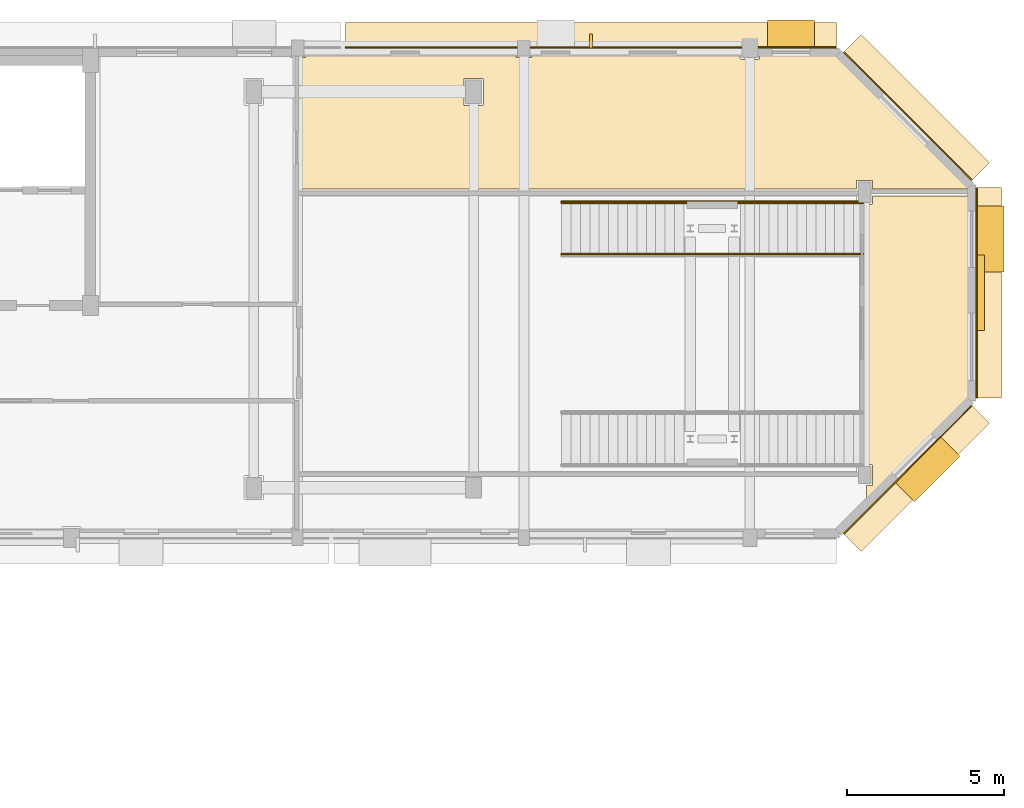
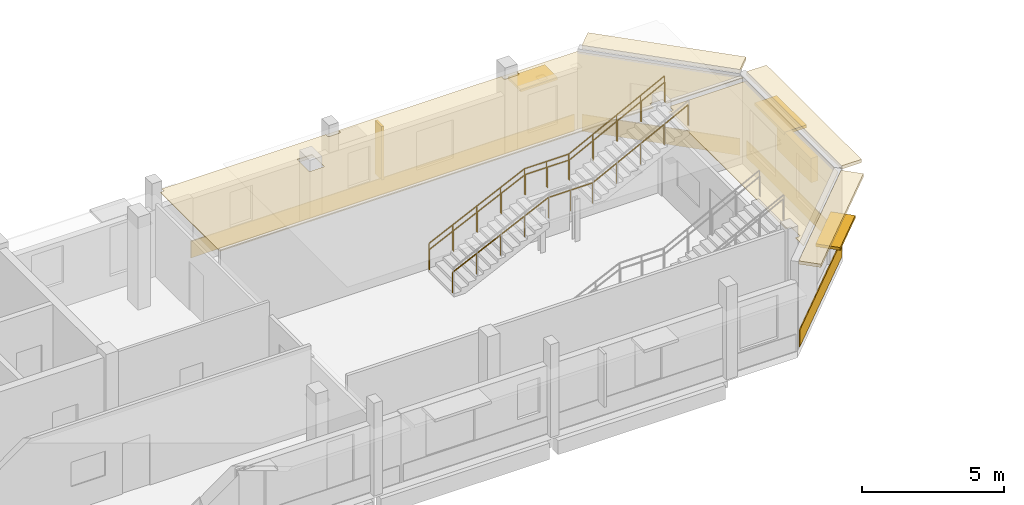
# One storey, part 92 of 92: 10 coverings, 5 shading devices, 3 railings.
"""IFC4 building model written with IfcOpenShell, lengths in metres."""

from ifc_helpers import new_model, si_unit, direction, frame, origin, origin_2d, place, context, subcontext, project, spatial, polyline, rectangle, circle, outline, extrude, material, layer, layer_set, type_object, element, save


model = new_model("IFC4")

# Units and contexts
model_context = context("Model", 3, precision=1e-05, world=origin(), true_north=direction((0.0, 1.0)))
body_context = subcontext(model_context, "Body", "Model", "MODEL_VIEW")
ifc_project = project(units=[si_unit("LENGTHUNIT", "METRE"), si_unit("AREAUNIT", "SQUARE_METRE"), si_unit("VOLUMEUNIT", "CUBIC_METRE"), si_unit("PLANEANGLEUNIT", "RADIAN"), si_unit("MASSUNIT", "GRAM", prefix="KILO")], contexts=[model_context])

# Site, building, storey
site_placement = place(None, origin())
site = spatial("IfcSite", under=ifc_project, at=site_placement, CompositionType="ELEMENT")
building_placement = place(site_placement, origin())
building = spatial("IfcBuilding", under=site, at=building_placement, Name="Kelanivale Promenade Academy", CompositionType="ELEMENT")
storey_placement = place(building_placement, frame((0.0, 0.0, 8.199951171875)))
storey = spatial("IfcBuildingStorey", under=building, at=storey_placement, Name="L02", CompositionType="ELEMENT", Elevation=8.199951171875)

# Coverings
ifc_material_1 = material(Name="Warm ivory Art Deco stucco frieze band 40 mm", Category="masonry")
ifc_layer_1 = layer(ifc_material_1, 0.0400390625)
ifc_layer_set_1 = layer_set([ifc_layer_1], Name="Warm ivory Art Deco stucco frieze band 40 mm")
covering_type_1 = type_object("IfcCoveringType", Name="COV-CLD2 Warm ivory Art Deco stucco frieze ba", PredefinedType="CLADDING", material=ifc_layer_set_1)
covering_1_placement = place(storey_placement, frame((156.89892578125, 98.301025390625, 3.6201171875), z_axis=(0.0, 0.0, 1.0), x_axis=(0.707106781187, 0.707106781187, 0.0)))
element("IfcCovering", 1, at=covering_1_placement, inside=storey, type_object=covering_type_1, Name="Art Deco projecting 820 mm streamline sunshade eyebrow ledge", PredefinedType="CLADDING", context=body_context, shape_type="SweptSolid", body=[
    extrude(rectangle(XDim=5.77490234375, YDim=0.820068359375, at=origin_2d()), origin(), (0.0, 0.0, 1.0), 0.139892578125),
])
covering_2_placement = place(storey_placement, frame((156.626953125, 98.572998046875, 0.06005859375), z_axis=(0.0, 0.0, 1.0), x_axis=(0.707106781187, 0.707106781187, 0.0)))
element("IfcCovering", 2, at=covering_2_placement, inside=storey, type_object=covering_type_1, Name="Art Deco ivory stucco sill frieze band", PredefinedType="CLADDING", context=body_context, shape_type="SweptSolid", body=[
    extrude(rectangle(XDim=5.77490234375, YDim=0.0400390625, at=origin_2d()), origin(), (0.0, 0.0, 1.0), 0.719970703125),
])
covering_3_placement = place(storey_placement, frame((159.199951171875, 104.199951171875, 3.6201171875), z_axis=(0.0, 0.0, 1.0), x_axis=(0.0, 1.0, 0.0)))
element("IfcCovering", 3, at=covering_3_placement, inside=storey, type_object=covering_type_1, Name="Art Deco projecting 820 mm streamline sunshade eyebrow ledge", PredefinedType="CLADDING", context=body_context, shape_type="SweptSolid", body=[
    extrude(rectangle(XDim=6.701904296875, YDim=0.820068359375, at=origin_2d()), origin(), (0.0, 0.0, 1.0), 0.139892578125),
])
covering_4_placement = place(storey_placement, frame((158.81494140625, 104.199951171875, 0.06005859375), z_axis=(0.0, 0.0, 1.0), x_axis=(0.0, 1.0, 0.0)))
element("IfcCovering", 4, at=covering_4_placement, inside=storey, type_object=covering_type_1, Name="Art Deco ivory stucco sill frieze band", PredefinedType="CLADDING", context=body_context, shape_type="SweptSolid", body=[
    extrude(rectangle(XDim=6.701904296875, YDim=0.0400390625, at=origin_2d()), origin(), (0.0, 0.0, 1.0), 0.719970703125),
])
covering_5_placement = place(storey_placement, frame((156.89892578125, 110.09912109375, 3.6201171875), z_axis=(0.0, 0.0, 1.0), x_axis=(-0.707106781187, 0.707106781187, 0.0)))
element("IfcCovering", 5, at=covering_5_placement, inside=storey, type_object=covering_type_1, Name="Art Deco projecting 820 mm streamline sunshade eyebrow ledge", PredefinedType="CLADDING", context=body_context, shape_type="SweptSolid", body=[
    extrude(rectangle(XDim=5.77490234375, YDim=0.820068359375, at=origin_2d()), origin(), (0.0, 0.0, 1.0), 0.139892578125),
])
covering_6_placement = place(storey_placement, frame((156.626953125, 109.826904296875, 0.06005859375), z_axis=(0.0, 0.0, 1.0), x_axis=(-0.707106781187, 0.707106781187, 0.0)))
element("IfcCovering", 6, at=covering_6_placement, inside=storey, type_object=covering_type_1, Name="Art Deco ivory stucco sill frieze band", PredefinedType="CLADDING", context=body_context, shape_type="SweptSolid", body=[
    extrude(rectangle(XDim=5.77490234375, YDim=0.0400390625, at=origin_2d()), origin(), (0.0, 0.0, 1.0), 0.719970703125),
])
covering_7_placement = place(storey_placement, frame((146.535888671875, 112.39990234375, 2.6552734375), z_axis=(0.0, 0.0, 1.0), x_axis=(-1.0, 0.0, 0.0)))
element("IfcCovering", 7, at=covering_7_placement, inside=storey, type_object=covering_type_1, Name="Art Deco projecting 820 mm streamline sunshade eyebrow ledge", PredefinedType="CLADDING", context=body_context, shape_type="SweptSolid", body=[
    extrude(rectangle(XDim=15.6298828125, YDim=0.820068359375, at=origin_2d()), origin(), (0.0, 0.0, 1.0), 0.139892578125),
])
covering_8_placement = place(storey_placement, frame((146.535888671875, 112.014892578125, 0.06005859375), z_axis=(0.0, 0.0, 1.0), x_axis=(-1.0, 0.0, 0.0)))
element("IfcCovering", 8, at=covering_8_placement, inside=storey, type_object=covering_type_1, Name="Art Deco ivory stucco sill frieze band", PredefinedType="CLADDING", context=body_context, shape_type="SweptSolid", body=[
    extrude(rectangle(XDim=15.6298828125, YDim=0.0400390625, at=origin_2d()), origin(), (0.0, 0.0, 1.0), 0.719970703125),
])
ifc_material_2 = material(Name="Acoustic mineral-fibre ceiling tile 25 mm", Category="gypsum")
ifc_layer_2 = layer(ifc_material_2, 0.02490234375)
ifc_layer_set_2 = layer_set([ifc_layer_2], Name="Acoustic mineral-fibre ceiling tile 25 mm")
covering_type_2 = type_object("IfcCoveringType", Name="COV-CLG1 Acoustic mineral-fibre ceiling tile ", PredefinedType="CEILING", material=ifc_layer_set_2)
covering_9_placement = place(storey_placement, frame((0.0, 0.0, 3.550048828125)))
element("IfcCovering", 9, at=covering_9_placement, inside=storey, type_object=covering_type_2, Name="Library North Study Alcove acoustic suspended ceiling", PredefinedType="CEILING", context=body_context, shape_type="SweptSolid", body=[
    extrude(outline(polyline([(158.64990234375, 107.510009765625), (158.64990234375, 107.571044921875), (154.37109375, 111.85009765625), (151.909912109375, 111.85009765625), (151.909912109375, 111.679931640625), (151.909912109375, 111.676025390625), (151.908935546875, 111.672119140625), (151.907958984375, 111.66796875), (151.906982421875, 111.6650390625), (151.905029296875, 111.660888671875), (151.903076171875, 111.657958984375), (151.90087890625, 111.655029296875), (151.89794921875, 111.652099609375), (151.89501953125, 111.64892578125), (151.89208984375, 111.64697265625), (151.888916015625, 111.64501953125), (151.885009765625, 111.64306640625), (151.882080078125, 111.64208984375), (151.8779296875, 111.64111328125), (151.8740234375, 111.639892578125), (151.8701171875, 111.639892578125), (151.330078125, 111.639892578125), (151.325927734375, 111.639892578125), (151.322021484375, 111.64111328125), (151.318115234375, 111.64208984375), (151.31494140625, 111.64306640625), (151.31103515625, 111.64501953125), (151.30810546875, 111.64697265625), (151.304931640625, 111.64892578125), (151.302001953125, 111.652099609375), (151.299072265625, 111.655029296875), (151.297119140625, 111.657958984375), (151.294921875, 111.660888671875), (151.29296875, 111.6650390625), (151.2919921875, 111.66796875), (151.291015625, 111.672119140625), (151.2900390625, 111.676025390625), (151.2900390625, 111.679931640625), (151.2900390625, 111.85009765625), (144.659912109375, 111.85009765625), (144.659912109375, 111.72998046875), (144.659912109375, 111.72607421875), (144.658935546875, 111.721923828125), (144.657958984375, 111.718017578125), (144.656982421875, 111.715087890625), (144.655029296875, 111.7109375), (144.653076171875, 111.7080078125), (144.65087890625, 111.705078125), (144.64794921875, 111.701904296875), (144.64501953125, 111.698974609375), (144.64208984375, 111.697021484375), (144.638916015625, 111.695068359375), (144.635009765625, 111.693115234375), (144.632080078125, 111.69189453125), (144.6279296875, 111.69091796875), (144.6240234375, 111.68994140625), (144.6201171875, 111.68994140625), (144.179931640625, 111.68994140625), (144.176025390625, 111.68994140625), (144.172119140625, 111.69091796875), (144.16796875, 111.69189453125), (144.1650390625, 111.693115234375), (144.160888671875, 111.695068359375), (144.157958984375, 111.697021484375), (144.155029296875, 111.698974609375), (144.152099609375, 111.701904296875), (144.14892578125, 111.705078125), (144.14697265625, 111.7080078125), (144.14501953125, 111.7109375), (144.14306640625, 111.715087890625), (144.14208984375, 111.718017578125), (144.14111328125, 111.721923828125), (144.139892578125, 111.72607421875), (144.139892578125, 111.72998046875), (144.139892578125, 111.85009765625), (137.4599609375, 111.85009765625), (137.4599609375, 111.72998046875), (137.4599609375, 111.72607421875), (137.458984375, 111.721923828125), (137.4580078125, 111.718017578125), (137.45703125, 111.715087890625), (137.455078125, 111.7109375), (137.452880859375, 111.7080078125), (137.450927734375, 111.705078125), (137.447998046875, 111.701904296875), (137.445068359375, 111.698974609375), (137.44189453125, 111.697021484375), (137.43896484375, 111.695068359375), (137.43505859375, 111.693115234375), (137.431884765625, 111.69189453125), (137.427978515625, 111.69091796875), (137.424072265625, 111.68994140625), (137.419921875, 111.68994140625), (137.31005859375, 111.68994140625), (137.31005859375, 107.510009765625), (154.989990234375, 107.510009765625), (154.989990234375, 107.7451171875), (154.989990234375, 107.7490234375), (154.990966796875, 107.7529296875), (154.991943359375, 107.757080078125), (154.992919921875, 107.760009765625), (154.9951171875, 107.763916015625), (154.9970703125, 107.76708984375), (154.9990234375, 107.77001953125), (155.001953125, 107.77294921875), (155.0048828125, 107.77587890625), (155.008056640625, 107.778076171875), (155.010986328125, 107.780029296875), (155.014892578125, 107.781982421875), (155.01806640625, 107.782958984375), (155.02197265625, 107.783935546875), (155.02587890625, 107.784912109375), (155.030029296875, 107.784912109375), (155.469970703125, 107.784912109375), (155.47412109375, 107.784912109375), (155.47802734375, 107.783935546875), (155.48193359375, 107.782958984375), (155.485107421875, 107.781982421875), (155.489013671875, 107.780029296875), (155.491943359375, 107.778076171875), (155.4951171875, 107.77587890625), (155.498046875, 107.77294921875), (155.5009765625, 107.77001953125), (155.5029296875, 107.76708984375), (155.5048828125, 107.763916015625), (155.507080078125, 107.760009765625), (155.508056640625, 107.757080078125), (155.509033203125, 107.7529296875), (155.510009765625, 107.7490234375), (155.510009765625, 107.7451171875), (155.510009765625, 107.510009765625), (158.64990234375, 107.510009765625)]), holes=[polyline([(143.110107421875, 110.205078125), (143.110107421875, 110.200927734375), (143.10888671875, 110.197021484375), (143.10791015625, 110.193115234375), (143.10693359375, 110.18994140625), (143.10498046875, 110.18603515625), (143.10302734375, 110.18310546875), (143.10107421875, 110.179931640625), (143.097900390625, 110.177001953125), (143.094970703125, 110.174072265625), (143.092041015625, 110.172119140625), (143.089111328125, 110.169921875), (143.0849609375, 110.16796875), (143.08203125, 110.1669921875), (143.077880859375, 110.166015625), (143.073974609375, 110.1650390625), (143.070068359375, 110.1650390625), (142.530029296875, 110.1650390625), (142.52587890625, 110.1650390625), (142.52197265625, 110.166015625), (142.51806640625, 110.1669921875), (142.514892578125, 110.16796875), (142.510986328125, 110.169921875), (142.508056640625, 110.172119140625), (142.5048828125, 110.174072265625), (142.501953125, 110.177001953125), (142.4990234375, 110.179931640625), (142.4970703125, 110.18310546875), (142.4951171875, 110.18603515625), (142.492919921875, 110.18994140625), (142.491943359375, 110.193115234375), (142.490966796875, 110.197021484375), (142.489990234375, 110.200927734375), (142.489990234375, 110.205078125), (142.489990234375, 110.9951171875), (142.489990234375, 110.9990234375), (142.490966796875, 111.0029296875), (142.491943359375, 111.007080078125), (142.492919921875, 111.010009765625), (142.4951171875, 111.013916015625), (142.4970703125, 111.01708984375), (142.4990234375, 111.02001953125), (142.501953125, 111.02294921875), (142.5048828125, 111.02587890625), (142.508056640625, 111.028076171875), (142.510986328125, 111.030029296875), (142.514892578125, 111.031982421875), (142.51806640625, 111.032958984375), (142.52197265625, 111.033935546875), (142.52587890625, 111.034912109375), (142.530029296875, 111.034912109375), (143.070068359375, 111.034912109375), (143.073974609375, 111.034912109375), (143.077880859375, 111.033935546875), (143.08203125, 111.032958984375), (143.0849609375, 111.031982421875), (143.089111328125, 111.030029296875), (143.092041015625, 111.028076171875), (143.094970703125, 111.02587890625), (143.097900390625, 111.02294921875), (143.10107421875, 111.02001953125), (143.10302734375, 111.01708984375), (143.10498046875, 111.013916015625), (143.10693359375, 111.010009765625), (143.10791015625, 111.007080078125), (143.10888671875, 111.0029296875), (143.110107421875, 110.9990234375), (143.110107421875, 110.9951171875), (143.110107421875, 110.205078125)])]), origin(), (0.0, 0.0, 1.0), 0.02490234375),
])
covering_10_placement = place(storey_placement, frame((0.0, 0.0, 3.550048828125)))
element("IfcCovering", 10, at=covering_10_placement, inside=storey, type_object=covering_type_2, Name="Library East Periodicals Room acoustic suspended ceiling", PredefinedType="CEILING", context=body_context, shape_type="SweptSolid", body=[
    extrude(outline(polyline([(158.64990234375, 100.8291015625), (158.64990234375, 107.2900390625), (155.510009765625, 107.2900390625), (155.510009765625, 107.054931640625), (155.510009765625, 107.051025390625), (155.509033203125, 107.047119140625), (155.508056640625, 107.04296875), (155.507080078125, 107.0400390625), (155.5048828125, 107.035888671875), (155.5029296875, 107.032958984375), (155.5009765625, 107.030029296875), (155.498046875, 107.027099609375), (155.4951171875, 107.02392578125), (155.491943359375, 107.02197265625), (155.489013671875, 107.02001953125), (155.485107421875, 107.01806640625), (155.48193359375, 107.01708984375), (155.47802734375, 107.01611328125), (155.47412109375, 107.014892578125), (155.469970703125, 107.014892578125), (155.31005859375, 107.014892578125), (155.31005859375, 98.735107421875), (155.469970703125, 98.735107421875), (155.47412109375, 98.735107421875), (155.47802734375, 98.73388671875), (155.48193359375, 98.73291015625), (155.485107421875, 98.73193359375), (155.489013671875, 98.72998046875), (155.491943359375, 98.72802734375), (155.4951171875, 98.72607421875), (155.498046875, 98.722900390625), (155.5009765625, 98.719970703125), (155.5029296875, 98.717041015625), (155.5048828125, 98.714111328125), (155.507080078125, 98.7099609375), (155.508056640625, 98.70703125), (155.509033203125, 98.702880859375), (155.510009765625, 98.698974609375), (155.510009765625, 98.695068359375), (155.510009765625, 98.10498046875), (155.510009765625, 98.10107421875), (155.509033203125, 98.096923828125), (155.508056640625, 98.093017578125), (155.507080078125, 98.090087890625), (155.5048828125, 98.0859375), (155.5029296875, 98.0830078125), (155.5009765625, 98.080078125), (155.498046875, 98.076904296875), (155.4951171875, 98.073974609375), (155.491943359375, 98.072021484375), (155.489013671875, 98.070068359375), (155.485107421875, 98.068115234375), (155.48193359375, 98.06689453125), (155.47802734375, 98.06591796875), (155.47412109375, 98.06494140625), (155.469970703125, 98.06494140625), (155.31005859375, 98.06494140625), (155.31005859375, 97.489013671875), (158.64990234375, 100.8291015625)])), origin(), (0.0, 0.0, 1.0), 0.02490234375),
])

# Railings
ifc_material_3 = material(Name="Brushed stainless steel grade 316", Category="steel")
railing_type_1 = type_object("IfcRailingType", Name="GR-01 Stair Guard 1100mm", PredefinedType="BALUSTRADE", material=ifc_material_3)
railing_1_placement = place(storey_placement, frame((145.60009765625, 107.114990234375, 0.142822265625)))
element("IfcRailing", 11, at=railing_1_placement, inside=storey, type_object=railing_type_1, Name="Library stair ST-08 balustrade N", PredefinedType="BALUSTRADE", context=body_context, shape_type="SweptSolid", body=[
    extrude(circle(Radius=0.02392578125, at=origin_2d()), frame((0.0, 0.0, 1.09619140625), z_axis=(0.902853205547, 0.0, 0.429948937937), x_axis=(0.0, 1.0, 0.0)), (0.0, 0.0, 1.0), 4.319580078125),
    extrude(circle(Radius=0.02392578125, at=origin_2d()), frame((3.89990234375, 0.0, 2.953125), z_axis=(1.0, 0.0, 0.0), x_axis=(0.0, 1.0, 0.0)), (0.0, 0.0, 1.0), 1.800048828125),
    extrude(circle(Radius=0.02392578125, at=origin_2d()), frame((5.699951171875, 0.0, 2.953125), z_axis=(0.889812823198, 0.0, 0.456325694731), x_axis=(0.0, 1.0, 0.0)), (0.0, 0.0, 1.0), 4.3828125),
    extrude(circle(Radius=0.02099609375, at=origin_2d()), origin(), (0.0, 0.0, 1.0), 1.072021484375),
    extrude(circle(Radius=0.02099609375, at=origin_2d()), frame((0.97509765625, 0.0, 0.46435546875)), (0.0, 0.0, 1.0), 1.072021484375),
    extrude(circle(Radius=0.02099609375, at=origin_2d()), frame((1.949951171875, 0.0, 0.9287109375)), (0.0, 0.0, 1.0), 1.072021484375),
    extrude(circle(Radius=0.02099609375, at=origin_2d()), frame((2.9248046875, 0.0, 1.392822265625)), (0.0, 0.0, 1.0), 1.072021484375),
    extrude(circle(Radius=0.02099609375, at=origin_2d()), frame((3.89990234375, 0.0, 1.857177734375)), (0.0, 0.0, 1.0), 1.072021484375),
    extrude(circle(Radius=0.02099609375, at=origin_2d()), frame((4.7998046875, 0.0, 1.857177734375)), (0.0, 0.0, 1.0), 1.072021484375),
    extrude(circle(Radius=0.02099609375, at=origin_2d()), frame((5.699951171875, 0.0, 1.857177734375)), (0.0, 0.0, 1.0), 1.072021484375),
    extrude(circle(Radius=0.02099609375, at=origin_2d()), frame((6.6748046875, 0.0, 2.357177734375)), (0.0, 0.0, 1.0), 1.072021484375),
    extrude(circle(Radius=0.02099609375, at=origin_2d()), frame((7.64990234375, 0.0, 2.857177734375)), (0.0, 0.0, 1.0), 1.072021484375),
    extrude(circle(Radius=0.02099609375, at=origin_2d()), frame((8.625, 0.0, 3.357177734375)), (0.0, 0.0, 1.0), 1.072021484375),
    extrude(circle(Radius=0.02099609375, at=origin_2d()), frame((9.599853515625, 0.0, 3.857177734375)), (0.0, 0.0, 1.0), 1.072021484375),
])
railing_type_2 = type_object("IfcRailingType", Name="HR-01 Pitch Handrail 900mm", PredefinedType="HANDRAIL", material=ifc_material_3)
railing_2_placement = place(storey_placement, frame((145.60009765625, 105.43505859375, 0.142822265625)))
element("IfcRailing", 12, at=railing_2_placement, inside=storey, type_object=railing_type_2, Name="Library stair ST-08 handrail S", PredefinedType="HANDRAIL", context=body_context, shape_type="SweptSolid", body=[
    extrude(circle(Radius=0.02392578125, at=origin_2d()), frame((0.0, 0.0, 0.8759765625), z_axis=(0.902853205547, 0.0, 0.429948937937), x_axis=(0.0, 1.0, 0.0)), (0.0, 0.0, 1.0), 4.319580078125),
    extrude(circle(Radius=0.02392578125, at=origin_2d()), frame((3.89990234375, 0.0, 2.73291015625), z_axis=(1.0, 0.0, 0.0), x_axis=(0.0, 1.0, 0.0)), (0.0, 0.0, 1.0), 1.800048828125),
    extrude(circle(Radius=0.02392578125, at=origin_2d()), frame((5.699951171875, 0.0, 2.73291015625), z_axis=(0.889812823198, 0.0, 0.456325694731), x_axis=(0.0, 1.0, 0.0)), (0.0, 0.0, 1.0), 4.3828125),
    extrude(circle(Radius=0.02099609375, at=origin_2d()), origin(), (0.0, 0.0, 1.0), 0.851806640625),
    extrude(circle(Radius=0.02099609375, at=origin_2d()), frame((0.97509765625, 0.0, 0.46435546875)), (0.0, 0.0, 1.0), 0.851806640625),
    extrude(circle(Radius=0.02099609375, at=origin_2d()), frame((1.949951171875, 0.0, 0.9287109375)), (0.0, 0.0, 1.0), 0.851806640625),
    extrude(circle(Radius=0.02099609375, at=origin_2d()), frame((2.9248046875, 0.0, 1.392822265625)), (0.0, 0.0, 1.0), 0.851806640625),
    extrude(circle(Radius=0.02099609375, at=origin_2d()), frame((3.89990234375, 0.0, 1.857177734375)), (0.0, 0.0, 1.0), 0.851806640625),
    extrude(circle(Radius=0.02099609375, at=origin_2d()), frame((4.7998046875, 0.0, 1.857177734375)), (0.0, 0.0, 1.0), 0.851806640625),
    extrude(circle(Radius=0.02099609375, at=origin_2d()), frame((5.699951171875, 0.0, 1.857177734375)), (0.0, 0.0, 1.0), 0.851806640625),
    extrude(circle(Radius=0.02099609375, at=origin_2d()), frame((6.6748046875, 0.0, 2.357177734375)), (0.0, 0.0, 1.0), 0.851806640625),
    extrude(circle(Radius=0.02099609375, at=origin_2d()), frame((7.64990234375, 0.0, 2.857177734375)), (0.0, 0.0, 1.0), 0.851806640625),
    extrude(circle(Radius=0.02099609375, at=origin_2d()), frame((8.625, 0.0, 3.357177734375)), (0.0, 0.0, 1.0), 0.851806640625),
    extrude(circle(Radius=0.02099609375, at=origin_2d()), frame((9.599853515625, 0.0, 3.857177734375)), (0.0, 0.0, 1.0), 0.851806640625),
])
railing_3_placement = place(storey_placement, frame((145.60009765625, 107.06494140625, 0.142822265625)))
element("IfcRailing", 13, at=railing_3_placement, inside=storey, type_object=railing_type_2, Name="Library stair ST-08 handrail N", PredefinedType="HANDRAIL", context=body_context, shape_type="SweptSolid", body=[
    extrude(circle(Radius=0.02392578125, at=origin_2d()), frame((0.0, 0.0, 0.8759765625), z_axis=(0.902853205547, 0.0, 0.429948937937), x_axis=(0.0, 1.0, 0.0)), (0.0, 0.0, 1.0), 4.319580078125),
    extrude(circle(Radius=0.02392578125, at=origin_2d()), frame((3.89990234375, 0.0, 2.73291015625), z_axis=(1.0, 0.0, 0.0), x_axis=(0.0, 1.0, 0.0)), (0.0, 0.0, 1.0), 1.800048828125),
    extrude(circle(Radius=0.02392578125, at=origin_2d()), frame((5.699951171875, 0.0, 2.73291015625), z_axis=(0.889812823198, 0.0, 0.456325694731), x_axis=(0.0, 1.0, 0.0)), (0.0, 0.0, 1.0), 4.3828125),
    extrude(circle(Radius=0.02099609375, at=origin_2d()), origin(), (0.0, 0.0, 1.0), 0.851806640625),
    extrude(circle(Radius=0.02099609375, at=origin_2d()), frame((0.97509765625, 0.0, 0.46435546875)), (0.0, 0.0, 1.0), 0.851806640625),
    extrude(circle(Radius=0.02099609375, at=origin_2d()), frame((1.949951171875, 0.0, 0.9287109375)), (0.0, 0.0, 1.0), 0.851806640625),
    extrude(circle(Radius=0.02099609375, at=origin_2d()), frame((2.9248046875, 0.0, 1.392822265625)), (0.0, 0.0, 1.0), 0.851806640625),
    extrude(circle(Radius=0.02099609375, at=origin_2d()), frame((3.89990234375, 0.0, 1.857177734375)), (0.0, 0.0, 1.0), 0.851806640625),
    extrude(circle(Radius=0.02099609375, at=origin_2d()), frame((4.7998046875, 0.0, 1.857177734375)), (0.0, 0.0, 1.0), 0.851806640625),
    extrude(circle(Radius=0.02099609375, at=origin_2d()), frame((5.699951171875, 0.0, 1.857177734375)), (0.0, 0.0, 1.0), 0.851806640625),
    extrude(circle(Radius=0.02099609375, at=origin_2d()), frame((6.6748046875, 0.0, 2.357177734375)), (0.0, 0.0, 1.0), 0.851806640625),
    extrude(circle(Radius=0.02099609375, at=origin_2d()), frame((7.64990234375, 0.0, 2.857177734375)), (0.0, 0.0, 1.0), 0.851806640625),
    extrude(circle(Radius=0.02099609375, at=origin_2d()), frame((8.625, 0.0, 3.357177734375)), (0.0, 0.0, 1.0), 0.851806640625),
    extrude(circle(Radius=0.02099609375, at=origin_2d()), frame((9.599853515625, 0.0, 3.857177734375)), (0.0, 0.0, 1.0), 0.851806640625),
])

# Shading devices
ifc_material_4 = material(Name="Precast concrete C40/50", Category="concrete")
ifc_layer_3 = layer(ifc_material_4, 0.1201171875)
ifc_layer_set_3 = layer_set([ifc_layer_3], Name="Precast concrete C40/50")
shading_device_type_1 = type_object("IfcShadingDeviceType", Name="SHD-01 Art Deco Sunshade Eyebrow 900mm", PredefinedType="USERDEFINED", material=ifc_layer_set_3)
shading_device_1_placement = place(storey_placement, frame((157.24609375, 98.591064453125, 2.81005859375), z_axis=(0.0, 0.0, 1.0), x_axis=(0.707106781187, 0.707106781187, 0.0)))
element("IfcShadingDevice", 14, at=shading_device_1_placement, inside=storey, type_object=shading_device_type_1, Name="Art Deco 900 mm precast chajja window sunshade", ObjectType="SUNSHADE", PredefinedType="USERDEFINED", context=body_context, shape_type="SweptSolid", body=[
    extrude(rectangle(XDim=2.050048828125, YDim=0.89990234375, at=origin_2d()), origin(), (0.0, 0.0, 1.0), 0.1201171875),
])
shading_device_2_placement = place(storey_placement, frame((159.239990234375, 105.9150390625, 2.659912109375), z_axis=(0.0, 0.0, 1.0), x_axis=(0.0, 1.0, 0.0)))
element("IfcShadingDevice", 15, at=shading_device_2_placement, inside=storey, type_object=shading_device_type_1, Name="Art Deco 900 mm precast chajja window sunshade", ObjectType="SUNSHADE", PredefinedType="USERDEFINED", context=body_context, shape_type="SweptSolid", body=[
    extrude(rectangle(XDim=2.10009765625, YDim=0.89990234375, at=origin_2d()), origin(), (0.0, 0.0, 1.0), 0.1201171875),
])
shading_device_3_placement = place(storey_placement, frame((152.906982421875, 112.43994140625, 2.510009765625), z_axis=(0.0, 0.0, 1.0), x_axis=(-1.0, 0.0, 0.0)))
element("IfcShadingDevice", 16, at=shading_device_3_placement, inside=storey, type_object=shading_device_type_1, Name="Art Deco 900 mm precast chajja window sunshade", ObjectType="SUNSHADE", PredefinedType="USERDEFINED", context=body_context, shape_type="SweptSolid", body=[
    extrude(rectangle(XDim=1.5, YDim=0.89990234375, at=origin_2d()), origin(), (0.0, 0.0, 1.0), 0.1201171875),
])
ifc_material_5 = material(Name="Bronze anodised aluminium EN AW-6063 T6", Category="aluminium")
ifc_layer_4 = layer(ifc_material_5, 0.080078125)
ifc_layer_set_4 = layer_set([ifc_layer_4], Name="Bronze anodised aluminium EN AW-6063 T6")
shading_device_type_2 = type_object("IfcShadingDeviceType", Name="SHD-02 Perforated Brise-Soleil Screen", PredefinedType="JALOUSIE", material=ifc_layer_set_4)
shading_device_4_placement = place(storey_placement, frame((158.93505859375, 104.199951171875, 1.72509765625), z_axis=(0.0, 0.0, 1.0), x_axis=(0.0, 1.0, 0.0)))
element("IfcShadingDevice", 17, at=shading_device_4_placement, inside=storey, type_object=shading_device_type_2, Name="Perforated Art Deco brise-soleil louvre screen", PredefinedType="JALOUSIE", context=body_context, shape_type="SweptSolid", body=[
    extrude(rectangle(XDim=2.39990234375, YDim=0.280029296875, at=origin_2d()), origin(), (0.0, 0.0, 1.0), 1.050048828125),
])
ifc_layer_5 = layer(ifc_material_5, 0.10009765625)
ifc_layer_set_5 = layer_set([ifc_layer_5], Name="Bronze anodised aluminium EN AW-6063 T6")
shading_device_type_3 = type_object("IfcShadingDeviceType", Name="SHD-03 Vertical Fluted Solar Fin", PredefinedType="USERDEFINED", material=ifc_layer_set_5)
shading_device_5_placement = place(storey_placement, frame((146.535888671875, 112.219970703125, 0.7001953125), z_axis=(0.0, 0.0, 1.0), x_axis=(-1.0, 0.0, 0.0)))
element("IfcShadingDevice", 18, at=shading_device_5_placement, inside=storey, type_object=shading_device_type_3, Name="Vertical fluted Art Deco solar fin", ObjectType="SOLAR FIN", PredefinedType="USERDEFINED", context=body_context, shape_type="SweptSolid", body=[
    extrude(rectangle(XDim=0.10009765625, YDim=0.449951171875, at=origin_2d()), origin(), (0.0, 0.0, 1.0), 2.300048828125),
])

save(model, "model.ifc")
